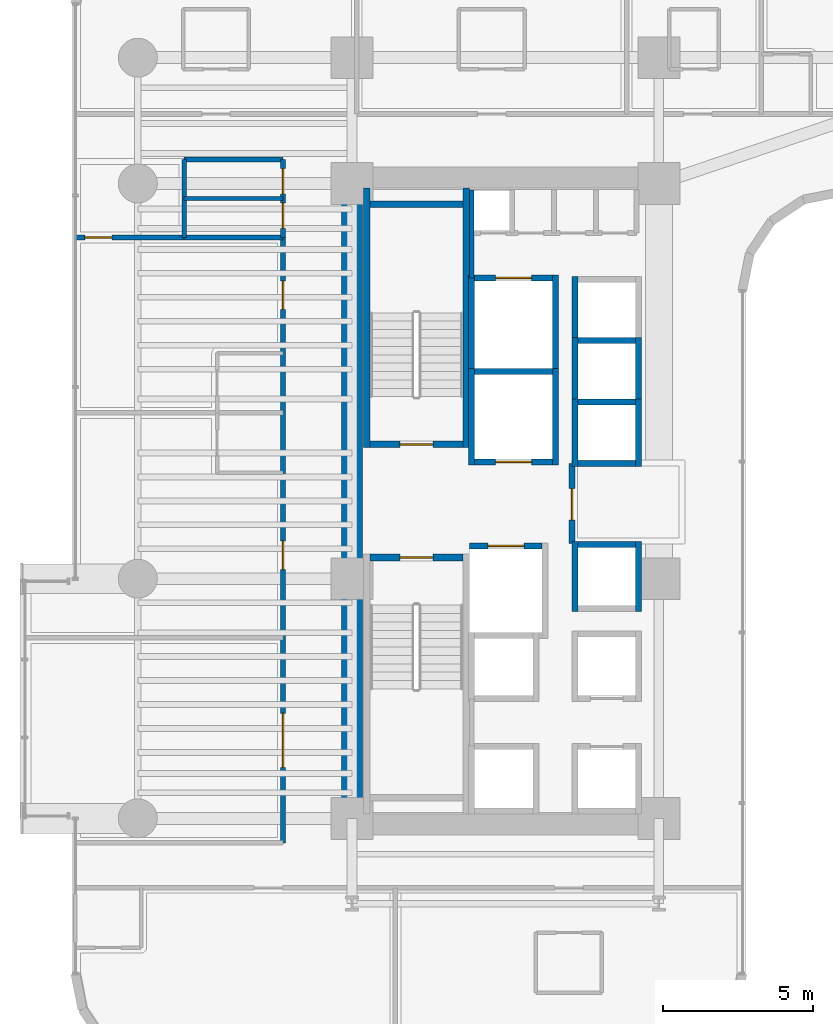
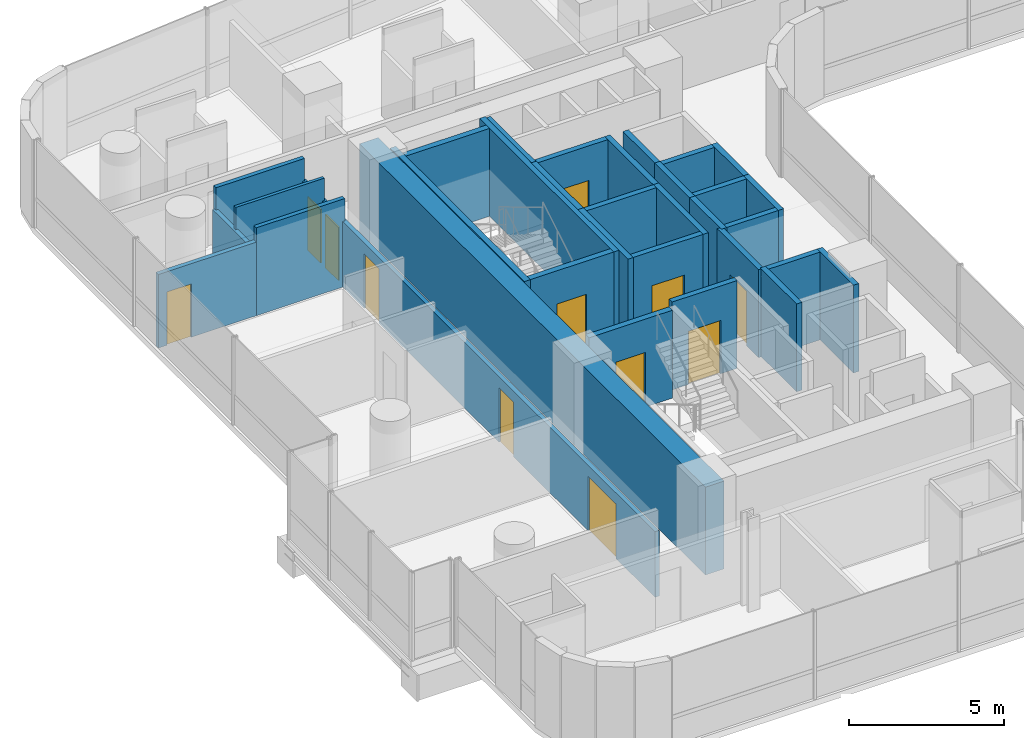
# One storey, part 31 of 40: 34 walls, 12 doors, 12 openings.
"""IFC4 building model written with IfcOpenShell, lengths in metres."""

from ifc_helpers import new_model, si_unit, direction, frame, frame_2d, origin, place, context, subcontext, project, spatial, rectangle, extrude, material, layer, layer_set, type_object, element, fill, save


model = new_model("IFC4")

# Units and contexts
model_context = context("Model", 3, precision=1e-05, world=origin(), true_north=direction((0.0, 1.0)))
body_context = subcontext(model_context, "Body", "Model", "MODEL_VIEW")
ifc_project = project(units=[si_unit("LENGTHUNIT", "METRE"), si_unit("AREAUNIT", "SQUARE_METRE"), si_unit("VOLUMEUNIT", "CUBIC_METRE"), si_unit("PLANEANGLEUNIT", "RADIAN"), si_unit("MASSUNIT", "GRAM", prefix="KILO")], contexts=[model_context])

# Site, building, storey
site_placement = place(None, origin())
site = spatial("IfcSite", under=ifc_project, at=site_placement, CompositionType="ELEMENT")
building_placement = place(site_placement, origin())
building = spatial("IfcBuilding", under=site, at=building_placement, Name="Valdorenza Pilgrim Sanctuary Tower", CompositionType="ELEMENT")
storey_placement = place(building_placement, frame((0.0, 0.0, 92.60009765625)))
storey = spatial("IfcBuildingStorey", under=building, at=storey_placement, Name="L23", CompositionType="ELEMENT", Elevation=92.60009765625)

# Walls
ifc_material_1 = material(Name="Acoustic twin-stud gypsum partition", Category="gypsum")
ifc_layer_1 = layer(ifc_material_1, 0.159912109375, Name="Acoustic twin-stud gypsum partition")
ifc_layer_set_1 = layer_set([ifc_layer_1], Name="Acoustic twin-stud gypsum partition")
wall_type_1 = type_object("IfcWallType", Name="WAL-COR-160", PredefinedType="PARTITIONING", material=ifc_layer_set_1)
wall_1_placement = place(storey_placement, frame((-18.64990234375, 7.449951171875, 0.0), z_axis=(0.0, 0.0, 1.0), x_axis=(0.0, 1.0, 0.0)))
element("IfcWall", 1, at=wall_1_placement, inside=storey, type_object=wall_type_1, Name="L23 Core A North Service West Wall", PredefinedType="PARTITIONING", context=body_context, shape_type="SweptSolid", body=[
    extrude(rectangle(XDim=2.929931640625, YDim=0.159912109375, at=frame_2d((1.46484375, 0.0))), origin(), (0.0, 0.0, 1.0), 3.4599609375),
])
wall_2_placement = place(storey_placement, frame((-28.25, 8.800048828125, 0.0), z_axis=(0.0, 0.0, 1.0), x_axis=(0.0, 1.0, 0.0)))
element("IfcWall", 2, at=wall_2_placement, inside=storey, type_object=wall_type_1, Name="L23 Washroom West Wall", PredefinedType="PARTITIONING", context=body_context, shape_type="SweptSolid", body=[
    extrude(rectangle(XDim=2.599853515625, YDim=0.159912109375, at=frame_2d((1.2998046875, 0.0))), origin(), (0.0, 0.0, 1.0), 2.5830078125),
])

# Wall, openings, doors
wall_3_placement = place(storey_placement, frame((-24.949951171875, 8.800048828125, 0.0), z_axis=(0.0, 0.0, 1.0), x_axis=(0.0, 1.0, 0.0)))
wall_3 = element("IfcWall", 3, at=wall_3_placement, inside=storey, type_object=wall_type_1, Name="L23 Washroom East Wall", PredefinedType="PARTITIONING", context=body_context, shape_type="SweptSolid", body=[
    extrude(rectangle(XDim=2.599853515625, YDim=0.159912109375, at=frame_2d((1.2998046875, 0.0))), origin(), (0.0, 0.0, 1.0), 2.5830078125),
])
opening_1_placement = place(wall_3_placement, frame((0.300048828125, 0.0, 0.0)))
opening_1 = element("IfcOpeningElement", 4, at=opening_1_placement, cuts=wall_3, Name="Opening DR-WC1", PredefinedType="OPENING", context=body_context, shape_type="SweptSolid", body=[
    extrude(rectangle(XDim=0.85009765625, YDim=2.10009765625, at=frame_2d((0.425048828125, 1.050048828125))), frame((0.0, 0.0947265625, 0.0), z_axis=(0.0, -1.0, 0.0), x_axis=(1.0, 0.0, 0.0)), (0.0, 0.0, 1.0), 0.189697265625),
])
opening_2_placement = place(wall_3_placement, frame((1.449951171875, 0.0, 0.0)))
opening_2 = element("IfcOpeningElement", 5, at=opening_2_placement, cuts=wall_3, Name="Opening DR-WC1", PredefinedType="OPENING", context=body_context, shape_type="SweptSolid", body=[
    extrude(rectangle(XDim=0.85009765625, YDim=2.10009765625, at=frame_2d((0.425048828125, 1.050048828125))), frame((0.0, 0.0947265625, 0.0), z_axis=(0.0, -1.0, 0.0), x_axis=(1.0, 0.0, 0.0)), (0.0, 0.0, 1.0), 0.189697265625),
])
ifc_material_2 = material(Name="Moisture-resistant lacquered timber", Category="wood")
door_type_1 = type_object("IfcDoorType", Name="DR-BATH-850", OperationType="NOTDEFINED", PredefinedType="DOOR", material=ifc_material_2)
door_1_placement = place(opening_1_placement, origin())
door_1 = element("IfcDoor", 6, at=door_1_placement, inside=storey, type_object=door_type_1, Name="L23 Accessible Washroom Door", OperationType="SINGLE_SWING_LEFT", OverallHeight=2.10009765625, OverallWidth=0.85009765625, PredefinedType="DOOR", context=body_context, shape_type="SweptSolid", body=[
    extrude(rectangle(XDim=0.85009765625, YDim=2.10009765625, at=frame_2d((0.425048828125, 1.050048828125))), frame((0.0, 0.02490234375, 0.0), z_axis=(0.0, -1.0, 0.0), x_axis=(1.0, 0.0, 0.0)), (0.0, 0.0, 1.0), 0.050048828125),
])
fill(opening_1, door_1)
door_2_placement = place(opening_2_placement, origin())
door_2 = element("IfcDoor", 7, at=door_2_placement, inside=storey, type_object=door_type_1, Name="L23 Public Washroom Door", OperationType="SINGLE_SWING_RIGHT", OverallHeight=2.10009765625, OverallWidth=0.85009765625, PredefinedType="DOOR", context=body_context, shape_type="SweptSolid", body=[
    extrude(rectangle(XDim=0.85009765625, YDim=2.10009765625, at=frame_2d((0.425048828125, 1.050048828125))), frame((0.0, 0.02490234375, 0.0), z_axis=(0.0, -1.0, 0.0), x_axis=(1.0, 0.0, 0.0)), (0.0, 0.0, 1.0), 0.050048828125),
])
fill(opening_2, door_2)

# Walls
for number, where, z_axis, x_axis, name in (
    (8, (-28.25, 8.800048828125, 0.0), (0.0, 0.0, 1.0), (1.0, 0.0, 0.0), "L23 Washroom South Wall"),
    (9, (-28.25, 11.39990234375, 0.0), (0.0, 0.0, 1.0), (1.0, 0.0, 0.0), "L23 Washroom North Wall"),
):
    element("IfcWall", number, at=place(storey_placement, frame(where, z_axis=z_axis, x_axis=x_axis)), inside=storey, type_object=wall_type_1, Name=name, PredefinedType="PARTITIONING", context=body_context, shape_type="SweptSolid", body=[
        extrude(rectangle(XDim=3.300048828125, YDim=0.159912109375, at=frame_2d((1.64990234375, 0.0))), origin(), (0.0, 0.0, 1.0), 3.4599609375),
    ])

# Wall, openings, doors
wall_4_placement = place(storey_placement, frame((-24.949951171875, -11.419921875, 0.0), z_axis=(0.0, 0.0, 1.0), x_axis=(0.0, 1.0, 0.0)))
wall_4 = element("IfcWall", 10, at=wall_4_placement, inside=storey, type_object=wall_type_1, Name="L23 West Wing Corridor Wall", PredefinedType="PARTITIONING", context=body_context, shape_type="SweptSolid", body=[
    extrude(rectangle(XDim=20.219970703125, YDim=0.159912109375, at=frame_2d((10.10986328125, 0.0))), origin(), (0.0, 0.0, 1.0), 2.5830078125),
])
opening_3_placement = place(wall_4_placement, frame((2.52099609375, 0.0, 0.0)))
opening_3 = element("IfcOpeningElement", 11, at=opening_3_placement, cuts=wall_4, Name="Opening DR-HL1", PredefinedType="OPENING", context=body_context, shape_type="SweptSolid", body=[
    extrude(rectangle(XDim=1.800048828125, YDim=2.14990234375, at=frame_2d((0.89990234375, 1.074951171875))), frame((0.0, 0.0947265625, 0.0), z_axis=(0.0, -1.0, 0.0), x_axis=(1.0, 0.0, 0.0)), (0.0, 0.0, 1.0), 0.189697265625),
])
opening_4_placement = place(wall_4_placement, frame((9.1240234375, 0.0, 0.0)))
opening_4 = element("IfcOpeningElement", 12, at=opening_4_placement, cuts=wall_4, Name="Opening DR-UN1", PredefinedType="OPENING", context=body_context, shape_type="SweptSolid", body=[
    extrude(rectangle(XDim=0.949951171875, YDim=2.14990234375, at=frame_2d((0.47509765625, 1.074951171875))), frame((0.0, 0.0947265625, 0.0), z_axis=(0.0, -1.0, 0.0), x_axis=(1.0, 0.0, 0.0)), (0.0, 0.0, 1.0), 0.189697265625),
])
opening_5_placement = place(wall_4_placement, frame((17.81298828125, 0.0, 0.0)))
opening_5 = element("IfcOpeningElement", 13, at=opening_5_placement, cuts=wall_4, Name="Opening DR-UN1", PredefinedType="OPENING", context=body_context, shape_type="SweptSolid", body=[
    extrude(rectangle(XDim=0.949951171875, YDim=2.14990234375, at=frame_2d((0.47509765625, 1.074951171875))), frame((0.0, 0.0947265625, 0.0), z_axis=(0.0, -1.0, 0.0), x_axis=(1.0, 0.0, 0.0)), (0.0, 0.0, 1.0), 0.189697265625),
])
ifc_material_3 = material(Name="Acoustic oak and vision-glass double door", Category="glass")
door_type_2 = type_object("IfcDoorType", Name="DR-HALL-1800", OperationType="NOTDEFINED", PredefinedType="DOOR", material=ifc_material_3)
door_3_placement = place(opening_3_placement, origin())
door_3 = element("IfcDoor", 14, at=door_3_placement, inside=storey, type_object=door_type_2, Name="L23 Pilgrim Language Classroom L23 Door", OperationType="DOUBLE_DOOR_SINGLE_SWING", OverallHeight=2.14990234375, OverallWidth=1.800048828125, PredefinedType="DOOR", context=body_context, shape_type="SweptSolid", body=[
    extrude(rectangle(XDim=1.800048828125, YDim=2.14990234375, at=frame_2d((0.89990234375, 1.074951171875))), frame((0.0, 0.02490234375, 0.0), z_axis=(0.0, -1.0, 0.0), x_axis=(1.0, 0.0, 0.0)), (0.0, 0.0, 1.0), 0.050048828125),
])
fill(opening_3, door_3)
ifc_material_4 = material(Name="Solid-core European oak timber", Category="wood")
door_type_3 = type_object("IfcDoorType", Name="DR-UNIT-950", OperationType="NOTDEFINED", PredefinedType="DOOR", material=ifc_material_4)
door_4_placement = place(opening_4_placement, frame((0.949951171875, 0.0, 0.0), z_axis=(0.0, 0.0, 1.0), x_axis=(-1.0, 0.0, 0.0)))
door_4 = element("IfcDoor", 15, at=door_4_placement, inside=storey, type_object=door_type_3, Name="L23 Pilgrim Guest Room L23-HW1 Entrance Door", OperationType="SINGLE_SWING_LEFT", OverallHeight=2.14990234375, OverallWidth=0.949951171875, PredefinedType="DOOR", context=body_context, shape_type="SweptSolid", body=[
    extrude(rectangle(XDim=0.949951171875, YDim=2.14990234375, at=frame_2d((0.47509765625, 1.074951171875))), frame((0.0, 0.02490234375, 0.0), z_axis=(0.0, -1.0, 0.0), x_axis=(1.0, 0.0, 0.0)), (0.0, 0.0, 1.0), 0.050048828125),
])
fill(opening_4, door_4)
door_5_placement = place(opening_5_placement, frame((0.949951171875, 0.0, 0.0), z_axis=(0.0, 0.0, 1.0), x_axis=(-1.0, 0.0, 0.0)))
door_5 = element("IfcDoor", 16, at=door_5_placement, inside=storey, type_object=door_type_3, Name="L23 Pilgrim Guest Room L23-HW2 Entrance Door", OperationType="SINGLE_SWING_LEFT", OverallHeight=2.14990234375, OverallWidth=0.949951171875, PredefinedType="DOOR", context=body_context, shape_type="SweptSolid", body=[
    extrude(rectangle(XDim=0.949951171875, YDim=2.14990234375, at=frame_2d((0.47509765625, 1.074951171875))), frame((0.0, 0.02490234375, 0.0), z_axis=(0.0, -1.0, 0.0), x_axis=(1.0, 0.0, 0.0)), (0.0, 0.0, 1.0), 0.050048828125),
])
fill(opening_5, door_5)

# Wall, opening, door
wall_5_placement = place(storey_placement, frame((-31.889892578125, 8.800048828125, 0.0), z_axis=(0.0, 0.0, 1.0), x_axis=(1.0, 0.0, 0.0)))
wall_5 = element("IfcWall", 17, at=wall_5_placement, inside=storey, type_object=wall_type_1, Name="L23 West North Alcove Wall", PredefinedType="PARTITIONING", context=body_context, shape_type="SweptSolid", body=[
    extrude(rectangle(XDim=3.639892578125, YDim=0.159912109375, at=frame_2d((1.81982421875, 0.0))), origin(), (0.0, 0.0, 1.0), 2.89599609375),
])
opening_6_placement = place(wall_5_placement, frame((0.320068359375, 0.0, 0.0)))
opening_6 = element("IfcOpeningElement", 18, at=opening_6_placement, cuts=wall_5, Name="Opening DR-RM1", PredefinedType="OPENING", context=body_context, shape_type="SweptSolid", body=[
    extrude(rectangle(XDim=0.89990234375, YDim=2.10009765625, at=frame_2d((0.449951171875, 1.050048828125))), frame((0.0, 0.0947265625, 0.0), z_axis=(0.0, -1.0, 0.0), x_axis=(1.0, 0.0, 0.0)), (0.0, 0.0, 1.0), 0.189697265625),
])
door_type_4 = type_object("IfcDoorType", Name="DR-ROOM-900", OperationType="NOTDEFINED", PredefinedType="DOOR", material=ifc_material_4)
door_6_placement = place(opening_6_placement, frame((0.89990234375, 0.0, 0.0), z_axis=(0.0, 0.0, 1.0), x_axis=(-1.0, 0.0, 0.0)))
door_6 = element("IfcDoor", 19, at=door_6_placement, inside=storey, type_object=door_type_4, Name="L23 Pilgrim Scholar Office L23-WN Door", OperationType="SINGLE_SWING_LEFT", OverallHeight=2.10009765625, OverallWidth=0.89990234375, PredefinedType="DOOR", context=body_context, shape_type="SweptSolid", body=[
    extrude(rectangle(XDim=0.89990234375, YDim=2.10009765625, at=frame_2d((0.449951171875, 1.050048828125))), frame((0.0, 0.02490234375, 0.0), z_axis=(0.0, -1.0, 0.0), x_axis=(1.0, 0.0, 0.0)), (0.0, 0.0, 1.0), 0.050048828125),
])
fill(opening_6, door_6)

# Wall
ifc_material_5 = material(Name="Concrete C60/75", Category="concrete")
ifc_layer_2 = layer(ifc_material_5, 0.699951171875, Name="Concrete C60/75")
ifc_layer_set_2 = layer_set([ifc_layer_2], Name="Concrete C60/75")
wall_type_2 = type_object("IfcWallType", Name="WAL-COR-700", PredefinedType="SHEAR", material=ifc_layer_set_2)
wall_6_placement = place(storey_placement, frame((-22.64990234375, -11.14990234375, 0.0), z_axis=(0.0, 0.0, 1.0), x_axis=(0.0, 1.0, 0.0)))
element("IfcWall", 20, at=wall_6_placement, inside=storey, type_object=wall_type_2, Name="L23 Split Core A Shear Wall W", PredefinedType="SHEAR", context=body_context, shape_type="SweptSolid", body=[
    extrude(rectangle(XDim=22.2998046875, YDim=0.699951171875, at=frame_2d((11.14990234375, 0.0))), origin(), (0.0, 0.0, 1.0), 3.4599609375),
])

# Wall, opening, door
ifc_material_6 = material(Name="Gypsum shaftwall partition", Category="gypsum")
ifc_layer_3 = layer(ifc_material_6, 0.199951171875, Name="Gypsum shaftwall partition")
ifc_layer_set_3 = layer_set([ifc_layer_3], Name="Gypsum shaftwall partition")
wall_type_3 = type_object("IfcWallType", Name="WAL-FFL-200", PredefinedType="PARTITIONING", material=ifc_layer_set_3)
wall_7_placement = place(storey_placement, frame((-15.300048828125, -1.419921875, 0.0), z_axis=(0.0, 0.0, 1.0), x_axis=(0.0, 1.0, 0.0)))
wall_7 = element("IfcWall", 21, at=wall_7_placement, inside=storey, type_object=wall_type_3, Name="L23 Core A Firefighting Lobby East Wall", PredefinedType="PARTITIONING", context=body_context, shape_type="SweptSolid", body=[
    extrude(rectangle(XDim=2.669921875, YDim=0.199951171875, at=frame_2d((1.3349609375, 0.0))), origin(), (0.0, 0.0, 1.0), 3.4599609375),
])
opening_7_placement = place(wall_7_placement, frame((0.780029296875, 0.0, 0.0)))
opening_7 = element("IfcOpeningElement", 22, at=opening_7_placement, cuts=wall_7, Name="Opening DR-FL1", PredefinedType="OPENING", context=body_context, shape_type="SweptSolid", body=[
    extrude(rectangle(XDim=1.050048828125, YDim=2.14990234375, at=frame_2d((0.52490234375, 1.074951171875))), frame((0.0, 0.11474609375, 0.0), z_axis=(0.0, -1.0, 0.0), x_axis=(1.0, 0.0, 0.0)), (0.0, 0.0, 1.0), 0.229736328125),
])
ifc_material_7 = material(Name="Painted galvanized steel", Category="steel")
door_type_5 = type_object("IfcDoorType", Name="DR-FFL-1050", OperationType="NOTDEFINED", PredefinedType="DOOR", material=ifc_material_7)
door_7_placement = place(opening_7_placement, origin())
door_7 = element("IfcDoor", 23, at=door_7_placement, inside=storey, type_object=door_type_5, Name="L23 Core A Firefighting Lobby Door", OperationType="SINGLE_SWING_RIGHT", OverallHeight=2.14990234375, OverallWidth=1.050048828125, PredefinedType="DOOR", context=body_context, shape_type="SweptSolid", body=[
    extrude(rectangle(XDim=1.050048828125, YDim=2.14990234375, at=frame_2d((0.52490234375, 1.074951171875))), frame((0.0, 0.02490234375, 0.0), z_axis=(0.0, -1.0, 0.0), x_axis=(1.0, 0.0, 0.0)), (0.0, 0.0, 1.0), 0.050048828125),
])
fill(opening_7, door_7)

# Walls
ifc_material_8 = material(Name="Moisture-resistant gypsum partition", Category="gypsum")
ifc_layer_4 = layer(ifc_material_8, 0.1201171875, Name="Moisture-resistant gypsum partition")
ifc_layer_set_4 = layer_set([ifc_layer_4], Name="Moisture-resistant gypsum partition")
wall_type_4 = type_object("IfcWallType", Name="WAL-INT-120", PredefinedType="PARTITIONING", material=ifc_layer_set_4)
wall_8_placement = place(storey_placement, frame((-28.25, 10.10009765625, 0.0), z_axis=(0.0, 0.0, 1.0), x_axis=(1.0, 0.0, 0.0)))
element("IfcWall", 24, at=wall_8_placement, inside=storey, type_object=wall_type_4, Name="L23 Washroom Divider Wall", PredefinedType="PARTITIONING", context=body_context, shape_type="SweptSolid", body=[
    extrude(rectangle(XDim=3.300048828125, YDim=0.1201171875, at=frame_2d((1.64990234375, 0.0))), origin(), (0.0, 0.0, 1.0), 3.4599609375),
])
ifc_material_9 = material(Name="Autoclaved aerated concrete blockwork", Category="masonry")
ifc_layer_5 = layer(ifc_material_9, 0.199951171875, Name="Autoclaved aerated concrete blockwork")
ifc_layer_set_5 = layer_set([ifc_layer_5], Name="Autoclaved aerated concrete blockwork")
wall_type_5 = type_object("IfcWallType", Name="WAL-SHF-200", PredefinedType="MOVABLE", material=ifc_layer_set_5)
for number, where, z_axis, x_axis, name in (
    (25, (-18.64990234375, 1.199951171875, 0.0), (0.0, 0.0, 1.0), (0.0, 1.0, 0.0), "L23 Lift FFL-01 Hoistway Wall West"),
    (26, (-15.85009765625, 1.199951171875, 0.0), (0.0, 0.0, 1.0), (0.0, 1.0, 0.0), "L23 Lift FFL-01 Hoistway Wall East"),
):
    element("IfcWall", number, at=place(storey_placement, frame(where, z_axis=z_axis, x_axis=x_axis)), inside=storey, type_object=wall_type_5, Name=name, PredefinedType="MOVABLE", context=body_context, shape_type="SweptSolid", body=[
        extrude(rectangle(XDim=3.22509765625, YDim=0.199951171875, at=frame_2d((1.612548828125, 0.0))), origin(), (0.0, 0.0, 1.0), 3.4599609375),
    ])

# Wall, opening, door
wall_9_placement = place(storey_placement, frame((-18.550048828125, 1.300048828125, 0.0), z_axis=(0.0, 0.0, 1.0), x_axis=(1.0, 0.0, 0.0)))
wall_9 = element("IfcWall", 27, at=wall_9_placement, inside=storey, type_object=wall_type_5, Name="L23 Lift FFL-01 Hoistway Wall South", PredefinedType="MOVABLE", context=body_context, shape_type="SweptSolid", body=[
    extrude(rectangle(XDim=2.60009765625, YDim=0.199951171875, at=frame_2d((1.300048828125, 0.0))), origin(), (0.0, 0.0, 1.0), 3.4599609375),
])
opening_8_placement = place(wall_9_placement, frame((0.699951171875, 0.0, 0.0)))
opening_8 = element("IfcOpeningElement", 28, at=opening_8_placement, cuts=wall_9, Name="Opening LD-02", PredefinedType="OPENING", context=body_context, shape_type="SweptSolid", body=[
    extrude(rectangle(XDim=1.199951171875, YDim=2.10009765625, at=frame_2d((0.60009765625, 1.050048828125))), frame((0.0, 0.11474609375, 0.0), z_axis=(0.0, -1.0, 0.0), x_axis=(1.0, 0.0, 0.0)), (0.0, 0.0, 1.0), 0.229736328125),
])
ifc_material_10 = material(Name="Brushed stainless steel Grade 316", Category="steel")
door_type_6 = type_object("IfcDoorType", Name="DR-LFT-1200", OperationType="DOUBLE_DOOR_SLIDING", PredefinedType="DOOR", material=ifc_material_10)
door_8_placement = place(opening_8_placement, origin())
door_8 = element("IfcDoor", 29, at=door_8_placement, inside=storey, type_object=door_type_6, Name="L23 Lift FFL-01 Sliding Landing Door", OperationType="DOUBLE_DOOR_SLIDING", OverallHeight=2.10009765625, OverallWidth=1.199951171875, PredefinedType="DOOR", context=body_context, shape_type="SweptSolid", body=[
    extrude(rectangle(XDim=1.199951171875, YDim=2.10009765625, at=frame_2d((0.60009765625, 1.050048828125))), frame((0.0, 0.02490234375, 0.0), z_axis=(0.0, -1.0, 0.0), x_axis=(1.0, 0.0, 0.0)), (0.0, 0.0, 1.0), 0.050048828125),
])
fill(opening_8, door_8)

# Wall
wall_10_placement = place(storey_placement, frame((-18.550048828125, 4.324951171875, 0.0), z_axis=(0.0, 0.0, 1.0), x_axis=(1.0, 0.0, 0.0)))
element("IfcWall", 30, at=wall_10_placement, inside=storey, type_object=wall_type_5, Name="L23 Lift FFL-01 Hoistway Wall North", PredefinedType="MOVABLE", context=body_context, shape_type="SweptSolid", body=[
    extrude(rectangle(XDim=2.60009765625, YDim=0.199951171875, at=frame_2d((1.300048828125, 0.0))), origin(), (0.0, 0.0, 1.0), 3.4599609375),
])

# Wall, opening, door
wall_11_placement = place(storey_placement, frame((-18.719970703125, -1.5, 0.0), z_axis=(0.0, 0.0, 1.0), x_axis=(1.0, 0.0, 0.0)))
wall_11 = element("IfcWall", 31, at=wall_11_placement, inside=storey, type_object=wall_type_5, Name="L23 Lift FFL-02 Hoistway Wall North", PredefinedType="MOVABLE", context=body_context, shape_type="SweptSolid", body=[
    extrude(rectangle(XDim=2.419921875, YDim=0.199951171875, at=frame_2d((1.2099609375, 0.0))), origin(), (0.0, 0.0, 1.0), 3.4599609375),
])
opening_9_placement = place(wall_11_placement, frame((0.610107421875, 0.0, 0.0)))
opening_9 = element("IfcOpeningElement", 32, at=opening_9_placement, cuts=wall_11, Name="Opening LD-02", PredefinedType="OPENING", context=body_context, shape_type="SweptSolid", body=[
    extrude(rectangle(XDim=1.199951171875, YDim=2.10009765625, at=frame_2d((0.60009765625, 1.050048828125))), frame((0.0, 0.11474609375, 0.0), z_axis=(0.0, -1.0, 0.0), x_axis=(1.0, 0.0, 0.0)), (0.0, 0.0, 1.0), 0.229736328125),
])
door_9_placement = place(opening_9_placement, origin())
door_9 = element("IfcDoor", 33, at=door_9_placement, inside=storey, type_object=door_type_6, Name="L23 Lift FFL-02 Sliding Landing Door", OperationType="DOUBLE_DOOR_SLIDING", OverallHeight=2.10009765625, OverallWidth=1.199951171875, PredefinedType="DOOR", context=body_context, shape_type="SweptSolid", body=[
    extrude(rectangle(XDim=1.199951171875, YDim=2.10009765625, at=frame_2d((0.60009765625, 1.050048828125))), frame((0.0, 0.02490234375, 0.0), z_axis=(0.0, -1.0, 0.0), x_axis=(1.0, 0.0, 0.0)), (0.0, 0.0, 1.0), 0.050048828125),
])
fill(opening_9, door_9)

# Walls
for number, where, z_axis, x_axis, name in (
    (34, (-18.64990234375, 4.22509765625, 0.0), (0.0, 0.0, 1.0), (0.0, 1.0, 0.0), "L23 Lift SVL-01 Hoistway Wall West"),
    (35, (-15.85009765625, 4.22509765625, 0.0), (0.0, 0.0, 1.0), (0.0, 1.0, 0.0), "L23 Lift SVL-01 Hoistway Wall East"),
):
    element("IfcWall", number, at=place(storey_placement, frame(where, z_axis=z_axis, x_axis=x_axis)), inside=storey, type_object=wall_type_5, Name=name, PredefinedType="MOVABLE", context=body_context, shape_type="SweptSolid", body=[
        extrude(rectangle(XDim=3.324951171875, YDim=0.199951171875, at=frame_2d((1.66259765625, 0.0))), origin(), (0.0, 0.0, 1.0), 3.4599609375),
    ])

# Wall, opening, door
wall_12_placement = place(storey_placement, frame((-18.550048828125, 7.449951171875, 0.0), z_axis=(0.0, 0.0, 1.0), x_axis=(1.0, 0.0, 0.0)))
wall_12 = element("IfcWall", 36, at=wall_12_placement, inside=storey, type_object=wall_type_5, Name="L23 Lift SVL-01 Hoistway Wall North", PredefinedType="MOVABLE", context=body_context, shape_type="SweptSolid", body=[
    extrude(rectangle(XDim=2.60009765625, YDim=0.199951171875, at=frame_2d((1.300048828125, 0.0))), origin(), (0.0, 0.0, 1.0), 3.4599609375),
])
opening_10_placement = place(wall_12_placement, frame((0.699951171875, 0.0, 0.0)))
opening_10 = element("IfcOpeningElement", 37, at=opening_10_placement, cuts=wall_12, Name="Opening LD-02", PredefinedType="OPENING", context=body_context, shape_type="SweptSolid", body=[
    extrude(rectangle(XDim=1.199951171875, YDim=2.10009765625, at=frame_2d((0.60009765625, 1.050048828125))), frame((0.0, 0.11474609375, 0.0), z_axis=(0.0, -1.0, 0.0), x_axis=(1.0, 0.0, 0.0)), (0.0, 0.0, 1.0), 0.229736328125),
])
door_10_placement = place(opening_10_placement, origin())
door_10 = element("IfcDoor", 38, at=door_10_placement, inside=storey, type_object=door_type_6, Name="L23 Lift SVL-01 Sliding Landing Door", OperationType="DOUBLE_DOOR_SLIDING", OverallHeight=2.10009765625, OverallWidth=1.199951171875, PredefinedType="DOOR", context=body_context, shape_type="SweptSolid", body=[
    extrude(rectangle(XDim=1.199951171875, YDim=2.10009765625, at=frame_2d((0.60009765625, 1.050048828125))), frame((0.0, 0.02490234375, 0.0), z_axis=(0.0, -1.0, 0.0), x_axis=(1.0, 0.0, 0.0)), (0.0, 0.0, 1.0), 0.050048828125),
])
fill(opening_10, door_10)

# Walls
for number, where, z_axis, x_axis, name in (
    (39, (-15.199951171875, 1.14990234375, 0.0), (0.0, 0.0, 1.0), (0.0, 1.0, 0.0), "L23 Lift PL-06 Hoistway Wall West"),
    (40, (-13.080078125, 1.14990234375, 0.0), (0.0, 0.0, 1.0), (0.0, 1.0, 0.0), "L23 Lift PL-06 Hoistway Wall East"),
):
    element("IfcWall", number, at=place(storey_placement, frame(where, z_axis=z_axis, x_axis=x_axis)), inside=storey, type_object=wall_type_5, Name=name, PredefinedType="MOVABLE", context=body_context, shape_type="SweptSolid", body=[
        extrude(rectangle(XDim=2.25, YDim=0.199951171875, at=frame_2d((1.125, 0.0))), origin(), (0.0, 0.0, 1.0), 3.4599609375),
    ])
wall_13_placement = place(storey_placement, frame((-15.10009765625, 1.25, 0.0), z_axis=(0.0, 0.0, 1.0), x_axis=(1.0, 0.0, 0.0)))
element("IfcWall", 41, at=wall_13_placement, inside=storey, type_object=wall_type_5, Name="L23 Lift PL-06 Hoistway Wall South", PredefinedType="MOVABLE", context=body_context, shape_type="SweptSolid", body=[
    extrude(rectangle(XDim=1.920166015625, YDim=0.199951171875, at=frame_2d((0.9599609375, 0.0))), origin(), (0.0, 0.0, 1.0), 3.4599609375),
])
for number, where, z_axis, x_axis, name in (
    (42, (-15.199951171875, 3.199951171875, 0.0), (0.0, 0.0, 1.0), (0.0, 1.0, 0.0), "L23 Lift PL-09 Hoistway Wall West"),
    (43, (-13.080078125, 3.199951171875, 0.0), (0.0, 0.0, 1.0), (0.0, 1.0, 0.0), "L23 Lift PL-09 Hoistway Wall East"),
):
    element("IfcWall", number, at=place(storey_placement, frame(where, z_axis=z_axis, x_axis=x_axis)), inside=storey, type_object=wall_type_5, Name=name, PredefinedType="MOVABLE", context=body_context, shape_type="SweptSolid", body=[
        extrude(rectangle(XDim=2.25, YDim=0.199951171875, at=frame_2d((1.125, 0.0))), origin(), (0.0, 0.0, 1.0), 3.4599609375),
    ])
for number, where, z_axis, x_axis, name in (
    (44, (-15.10009765625, 3.300048828125, 0.0), (0.0, 0.0, 1.0), (1.0, 0.0, 0.0), "L23 Lift PL-09 Hoistway Wall South"),
    (45, (-15.10009765625, 5.35009765625, 0.0), (0.0, 0.0, 1.0), (1.0, 0.0, 0.0), "L23 Lift PL-09 Hoistway Wall North"),
):
    element("IfcWall", number, at=place(storey_placement, frame(where, z_axis=z_axis, x_axis=x_axis)), inside=storey, type_object=wall_type_5, Name=name, PredefinedType="MOVABLE", context=body_context, shape_type="SweptSolid", body=[
        extrude(rectangle(XDim=1.920166015625, YDim=0.199951171875, at=frame_2d((0.9599609375, 0.0))), origin(), (0.0, 0.0, 1.0), 3.4599609375),
    ])
wall_14_placement = place(storey_placement, frame((-15.199951171875, 5.25, 0.0), z_axis=(0.0, 0.0, 1.0), x_axis=(0.0, 1.0, 0.0)))
element("IfcWall", 46, at=wall_14_placement, inside=storey, type_object=wall_type_5, Name="L23 Lift PL-10 Hoistway Wall West", PredefinedType="MOVABLE", context=body_context, shape_type="SweptSolid", body=[
    extrude(rectangle(XDim=2.25, YDim=0.199951171875, at=frame_2d((1.125, 0.0))), origin(), (0.0, 0.0, 1.0), 3.4599609375),
])
for number, where, z_axis, x_axis, name in (
    (47, (-15.199951171875, -3.699951171875, 0.0), (0.0, 0.0, 1.0), (0.0, 1.0, 0.0), "L23 Lift PL-12 Hoistway Wall West"),
    (48, (-13.080078125, -3.699951171875, 0.0), (0.0, 0.0, 1.0), (0.0, 1.0, 0.0), "L23 Lift PL-12 Hoistway Wall East"),
):
    element("IfcWall", number, at=place(storey_placement, frame(where, z_axis=z_axis, x_axis=x_axis)), inside=storey, type_object=wall_type_5, Name=name, PredefinedType="MOVABLE", context=body_context, shape_type="SweptSolid", body=[
        extrude(rectangle(XDim=2.349853515625, YDim=0.199951171875, at=frame_2d((1.1748046875, 0.0))), origin(), (0.0, 0.0, 1.0), 3.4599609375),
    ])
wall_15_placement = place(storey_placement, frame((-15.10009765625, -1.449951171875, 0.0), z_axis=(0.0, 0.0, 1.0), x_axis=(1.0, 0.0, 0.0)))
element("IfcWall", 49, at=wall_15_placement, inside=storey, type_object=wall_type_5, Name="L23 Lift PL-12 Hoistway Wall North", PredefinedType="MOVABLE", context=body_context, shape_type="SweptSolid", body=[
    extrude(rectangle(XDim=1.920166015625, YDim=0.199951171875, at=frame_2d((0.9599609375, 0.0))), origin(), (0.0, 0.0, 1.0), 3.4599609375),
])
ifc_material_11 = material(Name="Concrete C40/50", Category="concrete")
ifc_layer_6 = layer(ifc_material_11, 0.219970703125, Name="Concrete C40/50")
ifc_layer_set_6 = layer_set([ifc_layer_6], Name="Concrete C40/50")
wall_type_6 = type_object("IfcWallType", Name="WAL-STR-SHF-220", PredefinedType="SHEAR", material=ifc_layer_set_6)
for number, where, z_axis, x_axis, name in (
    (50, (-22.159912109375, 1.780029296875, 0.0), (0.0, 0.0, 1.0), (0.0, 1.0, 0.0), "L23 ST-A1 Structural Stairwell Wall W"),
    (51, (-18.830078125, 1.780029296875, 0.0), (0.0, 0.0, 1.0), (0.0, 1.0, 0.0), "L23 ST-A1 Structural Stairwell Wall E"),
):
    element("IfcWall", number, at=place(storey_placement, frame(where, z_axis=z_axis, x_axis=x_axis)), inside=storey, type_object=wall_type_6, Name=name, PredefinedType="SHEAR", context=body_context, shape_type="SweptSolid", body=[
        extrude(rectangle(XDim=8.669921875, YDim=0.219970703125, at=frame_2d((4.3349609375, 0.0))), origin(), (0.0, 0.0, 1.0), 3.4599609375),
    ])

# Wall, opening, door
wall_16_placement = place(storey_placement, frame((-22.050048828125, 1.889892578125, 0.0), z_axis=(0.0, 0.0, 1.0), x_axis=(1.0, 0.0, 0.0)))
wall_16 = element("IfcWall", 52, at=wall_16_placement, inside=storey, type_object=wall_type_6, Name="L23 ST-A1 Structural Stairwell Wall S", PredefinedType="SHEAR", context=body_context, shape_type="SweptSolid", body=[
    extrude(rectangle(XDim=3.110107421875, YDim=0.219970703125, at=frame_2d((1.55517578125, 0.0))), origin(), (0.0, 0.0, 1.0), 3.4599609375),
])
opening_11_placement = place(wall_16_placement, frame((1.0, 0.0, 0.0)))
opening_11 = element("IfcOpeningElement", 53, at=opening_11_placement, cuts=wall_16, Name="Opening DR-ST1", PredefinedType="OPENING", context=body_context, shape_type="SweptSolid", body=[
    extrude(rectangle(XDim=1.10009765625, YDim=2.14990234375, at=frame_2d((0.550048828125, 1.074951171875))), frame((0.0, 0.125, 0.0), z_axis=(0.0, -1.0, 0.0), x_axis=(1.0, 0.0, 0.0)), (0.0, 0.0, 1.0), 0.249755859375),
])
door_type_7 = type_object("IfcDoorType", Name="DR-STAIR-1100", OperationType="NOTDEFINED", PredefinedType="DOOR", material=ifc_material_7)
door_11_placement = place(opening_11_placement, frame((1.10009765625, 0.0, 0.0), z_axis=(0.0, 0.0, 1.0), x_axis=(-1.0, 0.0, 0.0)))
door_11 = element("IfcDoor", 54, at=door_11_placement, inside=storey, type_object=door_type_7, Name="L23 Exit Stair ST-A1 Door", OperationType="SINGLE_SWING_LEFT", OverallHeight=2.14990234375, OverallWidth=1.10009765625, PredefinedType="DOOR", context=body_context, shape_type="SweptSolid", body=[
    extrude(rectangle(XDim=1.10009765625, YDim=2.14990234375, at=frame_2d((0.550048828125, 1.074951171875))), frame((0.0, 0.02490234375, 0.0), z_axis=(0.0, -1.0, 0.0), x_axis=(1.0, 0.0, 0.0)), (0.0, 0.0, 1.0), 0.050048828125),
])
fill(opening_11, door_11)

# Wall
wall_17_placement = place(storey_placement, frame((-22.050048828125, 9.909912109375, 0.0), z_axis=(0.0, 0.0, 1.0), x_axis=(1.0, 0.0, 0.0)))
element("IfcWall", 55, at=wall_17_placement, inside=storey, type_object=wall_type_6, Name="L23 ST-A1 Structural Stairwell Wall N", PredefinedType="SHEAR", context=body_context, shape_type="SweptSolid", body=[
    extrude(rectangle(XDim=3.110107421875, YDim=0.219970703125, at=frame_2d((1.55517578125, 0.0))), origin(), (0.0, 0.0, 1.0), 3.4599609375),
])

# Wall, opening, door
wall_18_placement = place(storey_placement, frame((-22.050048828125, -1.889892578125, 0.0), z_axis=(0.0, 0.0, 1.0), x_axis=(1.0, 0.0, 0.0)))
wall_18 = element("IfcWall", 56, at=wall_18_placement, inside=storey, type_object=wall_type_6, Name="L23 ST-A2 Structural Stairwell Wall N", PredefinedType="SHEAR", context=body_context, shape_type="SweptSolid", body=[
    extrude(rectangle(XDim=3.110107421875, YDim=0.219970703125, at=frame_2d((1.55517578125, 0.0))), origin(), (0.0, 0.0, 1.0), 3.4599609375),
])
opening_12_placement = place(wall_18_placement, frame((1.0, 0.0, 0.0)))
opening_12 = element("IfcOpeningElement", 57, at=opening_12_placement, cuts=wall_18, Name="Opening DR-ST1", PredefinedType="OPENING", context=body_context, shape_type="SweptSolid", body=[
    extrude(rectangle(XDim=1.10009765625, YDim=2.14990234375, at=frame_2d((0.550048828125, 1.074951171875))), frame((0.0, 0.125, 0.0), z_axis=(0.0, -1.0, 0.0), x_axis=(1.0, 0.0, 0.0)), (0.0, 0.0, 1.0), 0.249755859375),
])
door_12_placement = place(opening_12_placement, origin())
door_12 = element("IfcDoor", 58, at=door_12_placement, inside=storey, type_object=door_type_7, Name="L23 Exit Stair ST-A2 Door", OperationType="SINGLE_SWING_RIGHT", OverallHeight=2.14990234375, OverallWidth=1.10009765625, PredefinedType="DOOR", context=body_context, shape_type="SweptSolid", body=[
    extrude(rectangle(XDim=1.10009765625, YDim=2.14990234375, at=frame_2d((0.550048828125, 1.074951171875))), frame((0.0, 0.02490234375, 0.0), z_axis=(0.0, -1.0, 0.0), x_axis=(1.0, 0.0, 0.0)), (0.0, 0.0, 1.0), 0.050048828125),
])
fill(opening_12, door_12)

save(model, "model.ifc")
